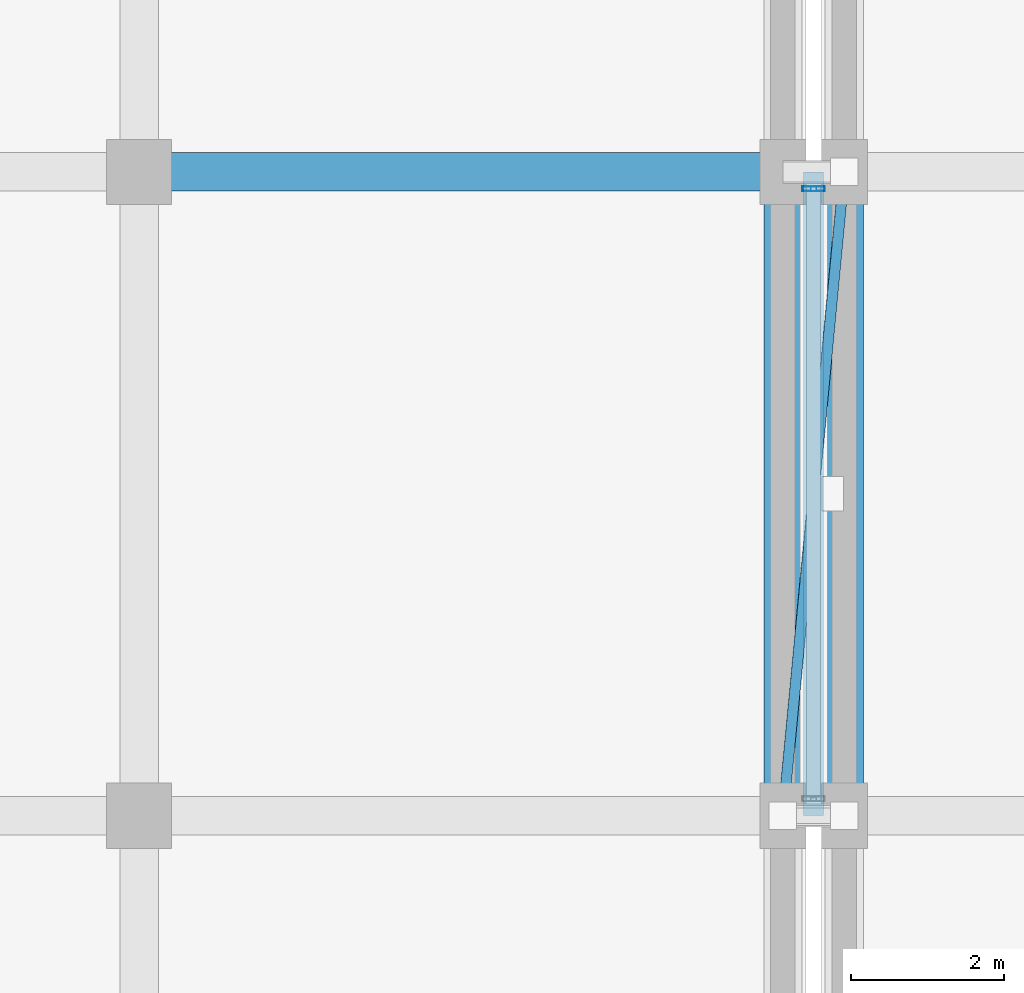
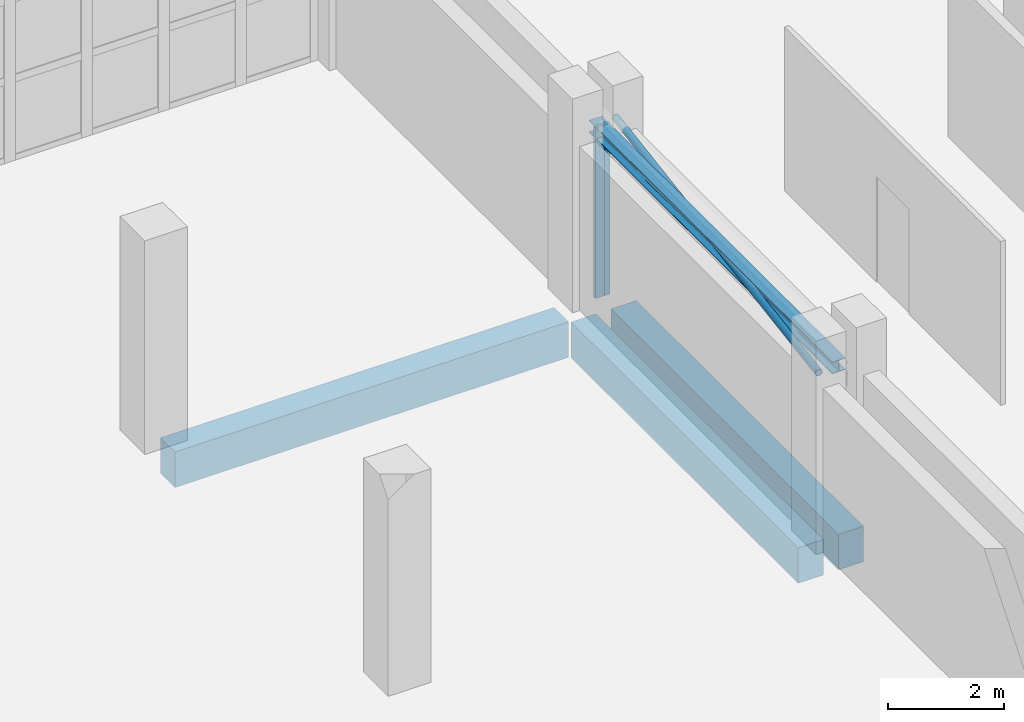
# One storey, part 64 of 137: 4 beams, 3 members, 1 element without a shape of its own.
"""IFC4 building model written with IfcOpenShell, lengths in metres."""

from ifc_helpers import new_model, si_unit, direction, frame, origin, origin_2d, place, context, subcontext, project, spatial, rectangle, hollow_rectangle, hollow_circle, i_section, extrude, material, layer, layer_set, material_profile, profile_set, type_object, element, aggregate, save


model = new_model("IFC4")

# Units and contexts
model_context = context("Model", 3, precision=1e-05, world=origin(), true_north=direction((0.0, 1.0)))
body_context = subcontext(model_context, "Body", "Model", "MODEL_VIEW")
ifc_project = project(units=[si_unit("LENGTHUNIT", "METRE"), si_unit("AREAUNIT", "SQUARE_METRE"), si_unit("VOLUMEUNIT", "CUBIC_METRE"), si_unit("PLANEANGLEUNIT", "RADIAN"), si_unit("MASSUNIT", "GRAM", prefix="KILO")], contexts=[model_context])

# Site, building, storey
site_placement = place(None, origin())
site = spatial("IfcSite", under=ifc_project, at=site_placement, CompositionType="ELEMENT")
building_placement = place(site_placement, origin())
building = spatial("IfcBuilding", under=site, at=building_placement, Name="Xazarin Passage Department Store", CompositionType="ELEMENT")
storey_placement = place(building_placement, frame((0.0, 0.0, 5.39990234375)))
storey = spatial("IfcBuildingStorey", under=building, at=storey_placement, Name="L01", CompositionType="ELEMENT", Elevation=5.39990234375)

# Curtain wall, members
ifc_material_1 = material(Name="Bronze anodised aluminium", Category="aluminium")
ifc_layer = layer(ifc_material_1, 0.14990234375)
ifc_layer_set = layer_set([ifc_layer], Name="Bronze anodised aluminium")
curtain_wall_type = type_object("IfcCurtainWallType", Name="ARC-CW-BRG1", PredefinedType="NOTDEFINED", material=ifc_layer_set)
curtain_wall_placement = place(storey_placement, origin())
curtain_wall = element("IfcCurtainWall", 1, at=curtain_wall_placement, inside=storey, type_object=curtain_wall_type, Name="L01 BR-V1-V2N Bridge Curtain Wall 2", PredefinedType="NOTDEFINED")
ifc_material_profile_1 = material_profile(ifc_material_1, hollow_rectangle(XDim=0.06494140625, YDim=0.179931640625, WallThickness=0.00390625, at=origin_2d()), Name="ALU 65x180")
ifc_profile_set_1 = profile_set([ifc_material_profile_1], Name="Bronze anodised aluminium")
member_type_1 = type_object("IfcMemberType", Name="ARC-CWM-65x180", PredefinedType="MULLION", material=ifc_profile_set_1)
member_1_placement = place(storey_placement, frame((67.54248046875, 76.179931640625, 0.0), z_axis=(0.0, 0.0, 1.0), x_axis=(0.0, 1.0, 0.0)))
member_1 = element("IfcMember", 2, at=member_1_placement, type_object=member_type_1, Name="CW7 mullion 1", PredefinedType="MULLION", context=body_context, shape_type="SweptSolid", body=[
    extrude(hollow_rectangle(XDim=0.06494140625, YDim=0.179931640625, WallThickness=0.00390625, at=origin_2d()), origin(), (0.0, 0.0, 1.0), 3.60009765625),
])
member_2_placement = place(storey_placement, frame((67.657470703125, 76.179931640625, 0.0), z_axis=(0.0, 0.0, 1.0), x_axis=(0.0, 1.0, 0.0)))
member_2 = element("IfcMember", 3, at=member_2_placement, type_object=member_type_1, Name="CW7 mullion 2", PredefinedType="MULLION", context=body_context, shape_type="SweptSolid", body=[
    extrude(hollow_rectangle(XDim=0.06494140625, YDim=0.179931640625, WallThickness=0.00390625, at=origin_2d()), origin(), (0.0, 0.0, 1.0), 3.60009765625),
])
aggregate(curtain_wall, [member_1, member_2])

# Beams
ifc_material_2 = material(Name="Steel S355", Category="steel")
ifc_material_profile_2 = material_profile(ifc_material_2, i_section(OverallWidth=0.260009765625, OverallDepth=0.25, WebThickness=0.007568359375, FlangeThickness=0.012451171875, FilletRadius=0.02392578125, at=origin_2d()), Name="HEA 260")
ifc_profile_set_2 = profile_set([ifc_material_profile_2], Name="Steel S355")
beam_type_1 = type_object("IfcBeamType", Name="STR-BM-CAN260", PredefinedType="BEAM", material=ifc_profile_set_2)
beam_1_placement = place(storey_placement, frame((67.60009765625, 68.0, 3.47509765625), z_axis=(0.0, 1.0, 0.0), x_axis=(-1.0, 0.0, 0.0)))
element("IfcBeam", 4, at=beam_1_placement, inside=storey, type_object=beam_type_1, Name="L01 BR-V1-V2N Bridge Roof Mid Beam", PredefinedType="BEAM", context=body_context, shape_type="SweptSolid", body=[
    extrude(i_section(OverallWidth=0.260009765625, OverallDepth=0.25, WebThickness=0.007568359375, FlangeThickness=0.012451171875, FilletRadius=0.02392578125, at=origin_2d()), origin(), (0.0, 0.0, 1.0), 8.39990234375),
])
ifc_material_3 = material(Name="Concrete C35/45", Category="concrete")
ifc_material_profile_3 = material_profile(ifc_material_3, rectangle(XDim=0.5, YDim=0.75, at=origin_2d()), Name="RC 500x750")
ifc_profile_set_3 = profile_set([ifc_material_profile_3], Name="Concrete C35/45")
beam_type_2 = type_object("IfcBeamType", Name="STR-BM-SP500x750", PredefinedType="SPANDREL", material=ifc_profile_set_3)
beam_2_placement = place(storey_placement, frame((59.080078125, 76.39990234375, -0.6748046875), z_axis=(1.0, 0.0, 0.0), x_axis=(0.0, 1.0, 0.0)))
element("IfcBeam", 5, at=beam_2_placement, inside=storey, type_object=beam_type_2, Name="L01 Grid Beam L/8-9", PredefinedType="SPANDREL", context=body_context, shape_type="SweptSolid", body=[
    extrude(rectangle(XDim=0.5, YDim=0.75, at=origin_2d()), origin(), (0.0, 0.0, 1.0), 7.83984375),
])
for number, where, z_axis, x_axis, name in (
    (6, (67.199951171875, 68.280029296875, -0.6748046875), (0.0, 1.0, 0.0), (-1.0, 0.0, 0.0), "L01 Grid Beam 9/K-L"),
    (7, (68.0, 68.280029296875, -0.6748046875), (0.0, 1.0, 0.0), (-1.0, 0.0, 0.0), "L01 Grid Beam 10/K-L"),
):
    element("IfcBeam", number, at=place(storey_placement, frame(where, z_axis=z_axis, x_axis=x_axis)), inside=storey, type_object=beam_type_2, Name=name, PredefinedType="SPANDREL", context=body_context, shape_type="SweptSolid", body=[
        extrude(rectangle(XDim=0.5, YDim=0.75, at=origin_2d()), origin(), (0.0, 0.0, 1.0), 7.840087890625),
    ])

# Member
ifc_material_profile_4 = material_profile(ifc_material_2, hollow_circle(Radius=0.06982421875, WallThickness=0.008056640625, at=origin_2d()), Name="CHS 139.7x8")
ifc_profile_set_4 = profile_set([ifc_material_profile_4], Name="Steel S355")
member_type_2 = type_object("IfcMemberType", Name="STR-MEM-BR140", PredefinedType="BRACE", material=ifc_profile_set_4)
member_3_placement = place(storey_placement, frame((67.199951171875, 68.0, 3.47509765625), z_axis=(0.094815919692, 0.995494822374, 0.0), x_axis=(-0.995494822374, 0.094815919692, 0.0)))
element("IfcMember", 8, at=member_3_placement, inside=storey, type_object=member_type_2, Name="L01 BR-V1-V2N Bridge Roof Wind Diagonal", PredefinedType="BRACE", context=body_context, shape_type="SweptSolid", body=[
    extrude(hollow_circle(Radius=0.06982421875, WallThickness=0.008056640625, at=origin_2d()), origin(), (0.0, 0.0, 1.0), 8.43798828125),
])

save(model, "model.ifc")
